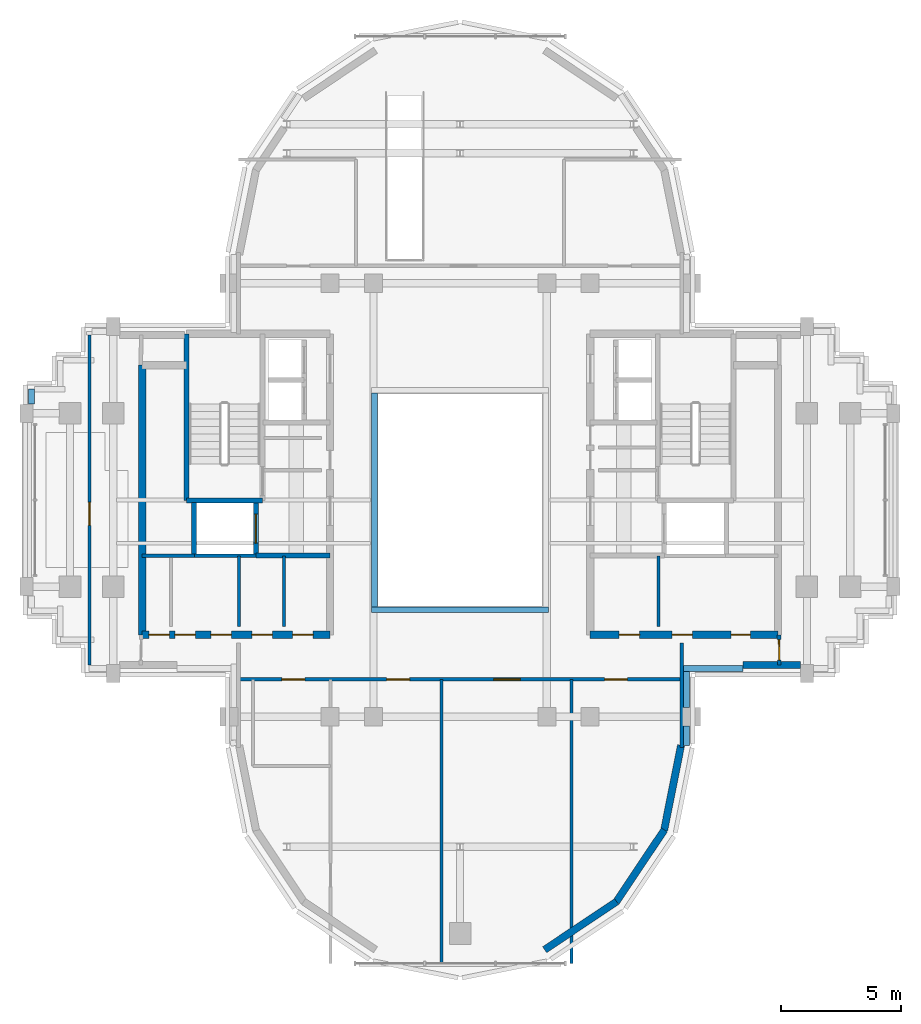
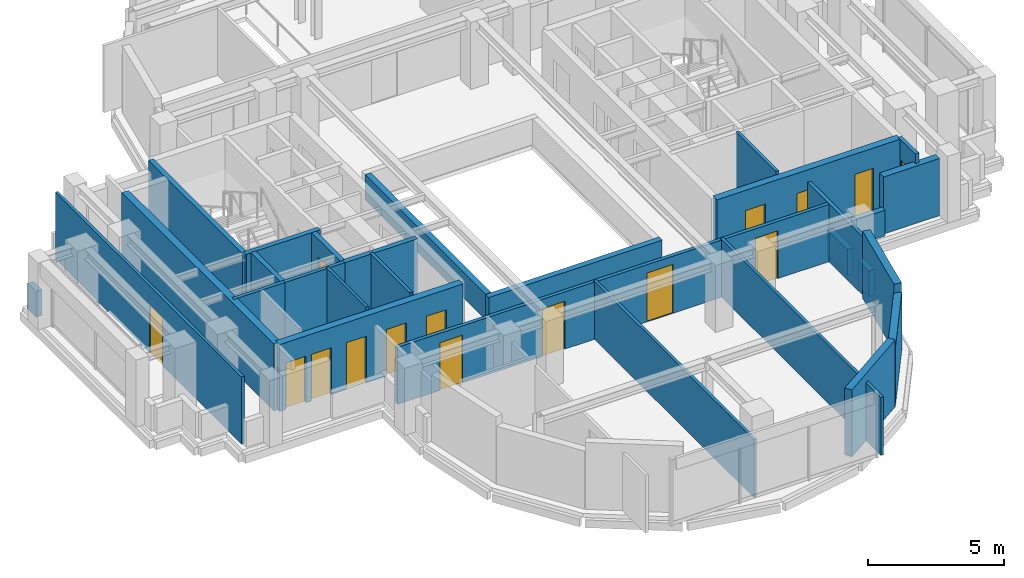
# One storey, part 8 of 12: 29 walls, 15 doors, 15 openings.
"""IFC4 building model written with IfcOpenShell, lengths in metres."""

from ifc_helpers import new_model, si_unit, direction, frame, frame_2d, origin, place, context, subcontext, project, spatial, rectangle, extrude, source, transform, mapped, material, layer, layer_set, type_object, element, fill, save


model = new_model("IFC4")

# Units and contexts
model_context = context("Model", 3, precision=1e-05, world=origin(), true_north=direction((0.0, 1.0)))
body_context = subcontext(model_context, "Body", "Model", "MODEL_VIEW")
ifc_project = project(units=[si_unit("LENGTHUNIT", "METRE"), si_unit("AREAUNIT", "SQUARE_METRE"), si_unit("VOLUMEUNIT", "CUBIC_METRE"), si_unit("PLANEANGLEUNIT", "RADIAN"), si_unit("MASSUNIT", "GRAM", prefix="KILO")], contexts=[model_context])

# Site, building, storey
site_placement = place(None, origin())
site = spatial("IfcSite", under=ifc_project, at=site_placement, CompositionType="ELEMENT")
building_placement = place(site_placement, origin())
building = spatial("IfcBuilding", under=site, at=building_placement, Name="Keilestroom Media Tower", CompositionType="ELEMENT")
storey_placement = place(building_placement, frame((0.0, 0.0, 223.60009765625)))
storey = spatial("IfcBuildingStorey", under=building, at=storey_placement, Name="L61", CompositionType="ELEMENT", Elevation=223.60009765625)

# Walls
ifc_material_1 = material(Name="Precast concrete C40/50", Category="concrete")
ifc_layer_1 = layer(ifc_material_1, 0.300048828125)
ifc_layer_set_1 = layer_set([ifc_layer_1], Name="Precast concrete C40/50")
wall_type_1 = type_object("IfcWallType", Name="Exterior-Masonry-Spandrel-Wall-300", PredefinedType="SOLIDWALL", material=ifc_layer_set_1)
wall_1_placement = place(storey_placement, frame((11.75, -6.85009765625, 0.0), z_axis=(0.0, 0.0, 1.0), x_axis=(1.0, 0.0, 0.0)))
element("IfcWall", 1, at=wall_1_placement, inside=storey, type_object=wall_type_1, Name="L61 Flank Masonry Wall EWL-L61-SE-1", PredefinedType="SOLIDWALL", context=body_context, shape_type="SweptSolid", body=[
    extrude(rectangle(XDim=2.383056640625, YDim=0.300048828125, at=frame_2d((1.19140625, 0.0))), origin(), (0.0, 0.0, 1.0), 2.56982421875),
])
wall_2_placement = place(storey_placement, frame((3.510009765625, -18.673583984375, 0.0), z_axis=(0.0, 0.0, 1.0), x_axis=(0.831443568068, 0.555609208993, 0.0)))
element("IfcWall", 2, at=wall_2_placement, inside=storey, type_object=wall_type_1, Name="L61 Lobe Facet Precast Frame Wall 10", PredefinedType="SOLIDWALL", context=body_context, shape_type="SweptSolid", body=[
    extrude(rectangle(XDim=3.593505859375, YDim=0.300048828125, at=frame_2d((1.796875, 0.0))), origin(), (0.0, 0.0, 1.0), 3.010009765625),
])
wall_3_placement = place(storey_placement, frame((6.47705078125, -16.697998046875, 0.0), z_axis=(0.0, 0.0, 1.0), x_axis=(0.555574187116, 0.831466970246, 0.0)))
element("IfcWall", 3, at=wall_3_placement, inside=storey, type_object=wall_type_1, Name="L61 Lobe Facet Precast Frame Wall 11", PredefinedType="SOLIDWALL", context=body_context, shape_type="SweptSolid", body=[
    extrude(rectangle(XDim=3.608642578125, YDim=0.300048828125, at=frame_2d((1.80419921875, 0.0))), origin(), (0.0, 0.0, 1.0), 2.60986328125),
])
wall_4_placement = place(storey_placement, frame((8.470703125, -13.724609375, 0.0), z_axis=(0.0, 0.0, 1.0), x_axis=(0.195114232679, 0.980780523974, 0.0)))
element("IfcWall", 4, at=wall_4_placement, inside=storey, type_object=wall_type_1, Name="L61 Lobe Facet Precast Frame Wall 12", PredefinedType="SOLIDWALL", context=body_context, shape_type="SweptSolid", body=[
    extrude(rectangle(XDim=3.608642578125, YDim=0.300048828125, at=frame_2d((1.80419921875, 0.0))), origin(), (0.0, 0.0, 1.0), 3.010009765625),
])
ifc_material_2 = material(Name="Gypsum Plasterboard & Steel Stud", Category="steel")
ifc_layer_2 = layer(ifc_material_2, 0.1201171875)
ifc_layer_set_2 = layer_set([ifc_layer_2], Name="Gypsum Plasterboard & Steel Stud")
wall_type_2 = type_object("IfcWallType", Name="Interior-Partition-Wall-120", PredefinedType="PARTITIONING", material=ifc_layer_set_2)
for number, where, z_axis, x_axis, name in (
    (5, (-9.179931640625, -5.260009765625, 0.0), (0.0, 0.0, 1.0), (0.0, 1.0, 0.0), "L61 Interior Wall WP-L61-RECMW-M1"),
    (6, (-7.320068359375, -5.260009765625, 0.0), (0.0, 0.0, 1.0), (0.0, 1.0, 0.0), "L61 Interior Wall WP-L61-RECMW-M2"),
    (7, (8.239990234375, -5.260009765625, 0.0), (0.0, 0.0, 1.0), (0.0, 1.0, 0.0), "L61 Interior Wall WP-L61-RECME-M"),
):
    element("IfcWall", number, at=place(storey_placement, frame(where, z_axis=z_axis, x_axis=x_axis)), inside=storey, type_object=wall_type_2, Name=name, PredefinedType="PARTITIONING", context=body_context, shape_type="SweptSolid", body=[
        extrude(rectangle(XDim=2.93994140625, YDim=0.1201171875, at=frame_2d((1.469970703125, 0.0))), origin(), (0.0, 0.0, 1.0), 3.010009765625),
    ])
for number, where, z_axis, x_axis, name in (
    (8, (-0.780029296875, -19.25, 0.0), (0.0, 0.0, 1.0), (0.0, 1.0, 0.0), "L61 Interior Wall WP-L61-SL-QV2"),
    (9, (4.6201171875, -19.25, 0.0), (0.0, 0.0, 1.0), (0.0, 1.0, 0.0), "L61 Interior Wall WP-L61-SL-QV3"),
):
    element("IfcWall", number, at=place(storey_placement, frame(where, z_axis=z_axis, x_axis=x_axis)), inside=storey, type_object=wall_type_2, Name=name, PredefinedType="PARTITIONING", context=body_context, shape_type="SweptSolid", body=[
        extrude(rectangle(XDim=11.800048828125, YDim=0.1201171875, at=frame_2d((5.89990234375, 0.0))), origin(), (0.0, 0.0, 1.0), 2.60986328125),
    ])

# Wall, opening, door
wall_5_placement = place(storey_placement, frame((-15.389892578125, -6.85009765625, 0.0), z_axis=(0.0, 0.0, 1.0), x_axis=(0.0, 1.0, 0.0)))
wall_5 = element("IfcWall", 10, at=wall_5_placement, inside=storey, type_object=wall_type_2, Name="L61 Interior Wall WP-L61-WA-V", PredefinedType="PARTITIONING", context=body_context, shape_type="SweptSolid", body=[
    extrude(rectangle(XDim=13.7001953125, YDim=0.1201171875, at=frame_2d((6.85009765625, 0.0))), origin(), (0.0, 0.0, 1.0), 3.010009765625),
])
opening_1_placement = place(wall_5_placement, frame((5.800048828125, 0.0, 0.0)))
opening_1 = element("IfcOpeningElement", 11, at=opening_1_placement, cuts=wall_5, Name="Opening DI-03", PredefinedType="OPENING", context=body_context, shape_type="SweptSolid", body=[
    extrude(rectangle(XDim=0.949951171875, YDim=2.14990234375, at=frame_2d((0.47509765625, 1.074951171875))), frame((0.0, 0.070068359375, 0.0), z_axis=(0.0, -1.0, 0.0), x_axis=(1.0, 0.0, 0.0)), (0.0, 0.0, 1.0), 0.14013671875),
])
ifc_material_3 = material(Name="Lacquered European Oak Leaf", Category="wood")
door_type_1 = type_object("IfcDoorType", Name="Interior-Room-And-Suite-Door-DI-03", OperationType="NOTDEFINED", PredefinedType="DOOR", material=ifc_material_3)
shared_shape_1 = source(origin(), body_context, "Body", "SweptSolid", [
    extrude(rectangle(XDim=0.949951171875, YDim=2.14990234375, at=frame_2d((0.47509765625, 1.074951171875))), frame((0.0, 0.02490234375, 0.0), z_axis=(0.0, -1.0, 0.0), x_axis=(1.0, 0.0, 0.0)), (0.0, 0.0, 1.0), 0.050048828125),
])
door_1_placement = place(opening_1_placement, origin())
door_1 = element("IfcDoor", 12, at=door_1_placement, inside=storey, type_object=door_type_1, Name="L61 Interior Door DI-L61-DWA-W", OperationType="SINGLE_SWING_LEFT", OverallHeight=2.14990234375, OverallWidth=0.949951171875, PredefinedType="DOOR", context=body_context, shape_type="MappedRepresentation", body=[
    mapped(shared_shape_1, transform((0.0, 0.0, 0.0), x_axis=(1.0, 0.0, 0.0), y_axis=(0.0, 1.0, 0.0), z_axis=(0.0, 0.0, 1.0), scale=1.0)),
])
fill(opening_1, door_1)

# Walls
ifc_layer_3 = layer(ifc_material_2, 0.14990234375)
ifc_layer_set_3 = layer_set([ifc_layer_3], Name="Gypsum Plasterboard & Steel Stud")
wall_type_3 = type_object("IfcWallType", Name="Interior-Partition-Wall-150", PredefinedType="PARTITIONING", material=ifc_layer_set_3)
wall_6_placement = place(storey_placement, frame((-13.199951171875, -2.320068359375, 0.0), z_axis=(0.0, 0.0, 1.0), x_axis=(1.0, 0.0, 0.0)))
element("IfcWall", 13, at=wall_6_placement, inside=storey, type_object=wall_type_3, Name="L61 Interior Wall WP-L61-RECLW-N", PredefinedType="PARTITIONING", context=body_context, shape_type="SweptSolid", body=[
    extrude(rectangle(XDim=2.179931640625, YDim=0.14990234375, at=frame_2d((1.08984375, 0.0))), origin(), (0.0, 0.0, 1.0), 3.010009765625),
])
wall_7_placement = place(storey_placement, frame((-11.0400390625, -2.320068359375, 0.0), z_axis=(0.0, 0.0, 1.0), x_axis=(1.0, 0.0, 0.0)))
element("IfcWall", 14, at=wall_7_placement, inside=storey, type_object=wall_type_3, Name="L61 Interior Wall WP-L61-RECMW-N", PredefinedType="PARTITIONING", context=body_context, shape_type="SweptSolid", body=[
    extrude(rectangle(XDim=2.56005859375, YDim=0.14990234375, at=frame_2d((1.280029296875, 0.0))), origin(), (0.0, 0.0, 1.0), 3.010009765625),
])

# Wall, openings, doors
wall_8_placement = place(storey_placement, frame((-9.199951171875, -7.449951171875, 0.0), z_axis=(0.0, 0.0, 1.0), x_axis=(1.0, 0.0, 0.0)))
wall_8 = element("IfcWall", 15, at=wall_8_placement, inside=storey, type_object=wall_type_3, Name="L61 Interior Wall WP-L61-SL-BASE", PredefinedType="PARTITIONING", context=body_context, shape_type="SweptSolid", body=[
    extrude(rectangle(XDim=18.39990234375, YDim=0.14990234375, at=frame_2d((9.199951171875, 0.0))), origin(), (0.0, 0.0, 1.0), 2.56982421875),
])
opening_2_placement = place(wall_8_placement, frame((1.800048828125, 0.0, 0.0)))
opening_2 = element("IfcOpeningElement", 16, at=opening_2_placement, cuts=wall_8, Name="Opening DI-03", PredefinedType="OPENING", context=body_context, shape_type="SweptSolid", body=[
    extrude(rectangle(XDim=0.949951171875, YDim=2.14990234375, at=frame_2d((0.47509765625, 1.074951171875))), frame((0.0, 0.0849609375, 0.0), z_axis=(0.0, -1.0, 0.0), x_axis=(1.0, 0.0, 0.0)), (0.0, 0.0, 1.0), 0.169921875),
])
opening_3_placement = place(wall_8_placement, frame((6.14990234375, 0.0, 0.0)))
opening_3 = element("IfcOpeningElement", 17, at=opening_3_placement, cuts=wall_8, Name="Opening DI-03", PredefinedType="OPENING", context=body_context, shape_type="SweptSolid", body=[
    extrude(rectangle(XDim=0.949951171875, YDim=2.14990234375, at=frame_2d((0.47509765625, 1.074951171875))), frame((0.0, 0.0849609375, 0.0), z_axis=(0.0, -1.0, 0.0), x_axis=(1.0, 0.0, 0.0)), (0.0, 0.0, 1.0), 0.169921875),
])
opening_4_placement = place(wall_8_placement, frame((10.60009765625, 0.0, 0.0)))
opening_4 = element("IfcOpeningElement", 18, at=opening_4_placement, cuts=wall_8, Name="Opening DI-04", PredefinedType="OPENING", context=body_context, shape_type="SweptSolid", body=[
    extrude(rectangle(XDim=1.10009765625, YDim=2.199951171875, at=frame_2d((0.550048828125, 1.10009765625))), frame((0.0, 0.0849609375, 0.0), z_axis=(0.0, -1.0, 0.0), x_axis=(1.0, 0.0, 0.0)), (0.0, 0.0, 1.0), 0.169921875),
])
opening_5_placement = place(wall_8_placement, frame((15.199951171875, 0.0, 0.0)))
opening_5 = element("IfcOpeningElement", 19, at=opening_5_placement, cuts=wall_8, Name="Opening DI-03", PredefinedType="OPENING", context=body_context, shape_type="SweptSolid", body=[
    extrude(rectangle(XDim=0.949951171875, YDim=2.14990234375, at=frame_2d((0.47509765625, 1.074951171875))), frame((0.0, 0.0849609375, 0.0), z_axis=(0.0, -1.0, 0.0), x_axis=(1.0, 0.0, 0.0)), (0.0, 0.0, 1.0), 0.169921875),
])
door_2_placement = place(opening_2_placement, origin())
door_2 = element("IfcDoor", 20, at=door_2_placement, inside=storey, type_object=door_type_1, Name="L61 Interior Door DI-L61-DSL-WC3", OperationType="SINGLE_SWING_LEFT", OverallHeight=2.14990234375, OverallWidth=0.949951171875, PredefinedType="DOOR", context=body_context, shape_type="MappedRepresentation", body=[
    mapped(shared_shape_1, transform((0.0, 0.0, 0.0), x_axis=(1.0, 0.0, 0.0), y_axis=(0.0, 1.0, 0.0), z_axis=(0.0, 0.0, 1.0), scale=1.0)),
])
fill(opening_2, door_2)
door_3_placement = place(opening_3_placement, origin())
door_3 = element("IfcDoor", 21, at=door_3_placement, inside=storey, type_object=door_type_1, Name="L61 Interior Door DI-L61-DSL-Q2", OperationType="SINGLE_SWING_LEFT", OverallHeight=2.14990234375, OverallWidth=0.949951171875, PredefinedType="DOOR", context=body_context, shape_type="MappedRepresentation", body=[
    mapped(shared_shape_1, transform((0.0, 0.0, 0.0), x_axis=(1.0, 0.0, 0.0), y_axis=(0.0, 1.0, 0.0), z_axis=(0.0, 0.0, 1.0), scale=1.0)),
])
fill(opening_3, door_3)
door_4_placement = place(opening_5_placement, origin())
door_4 = element("IfcDoor", 22, at=door_4_placement, inside=storey, type_object=door_type_1, Name="L61 Interior Door DI-L61-DSL-Q4", OperationType="SINGLE_SWING_LEFT", OverallHeight=2.14990234375, OverallWidth=0.949951171875, PredefinedType="DOOR", context=body_context, shape_type="MappedRepresentation", body=[
    mapped(shared_shape_1, transform((0.0, 0.0, 0.0), x_axis=(1.0, 0.0, 0.0), y_axis=(0.0, 1.0, 0.0), z_axis=(0.0, 0.0, 1.0), scale=1.0)),
])
fill(opening_5, door_4)
ifc_material_4 = material(Name="Acoustic Glazed Aluminium Leaf", Category="aluminium")
door_type_2 = type_object("IfcDoorType", Name="Interior-Room-And-Suite-Door-DI-04", OperationType="NOTDEFINED", PredefinedType="DOOR", material=ifc_material_4)
shared_shape_2 = source(origin(), body_context, "Body", "SweptSolid", [
    extrude(rectangle(XDim=1.10009765625, YDim=2.199951171875, at=frame_2d((0.550048828125, 1.10009765625))), frame((0.0, 0.02490234375, 0.0), z_axis=(0.0, -1.0, 0.0), x_axis=(1.0, 0.0, 0.0)), (0.0, 0.0, 1.0), 0.050048828125),
])
door_5_placement = place(opening_4_placement, origin())
door_5 = element("IfcDoor", 23, at=door_5_placement, inside=storey, type_object=door_type_2, Name="L61 Interior Door DI-L61-DSL-Q3", OperationType="SINGLE_SWING_RIGHT", OverallHeight=2.199951171875, OverallWidth=1.10009765625, PredefinedType="DOOR", context=body_context, shape_type="MappedRepresentation", body=[
    mapped(shared_shape_2, transform((0.0, 0.0, 0.0), x_axis=(1.0, 0.0, 0.0), y_axis=(0.0, 1.0, 0.0), z_axis=(0.0, 0.0, 1.0), scale=1.0)),
])
fill(opening_4, door_5)

# Wall
wall_9_placement = place(storey_placement, frame((9.199951171875, -10.280029296875, 0.0), z_axis=(0.0, 0.0, 1.0), x_axis=(0.0, 1.0, 0.0)))
element("IfcWall", 24, at=wall_9_placement, inside=storey, type_object=wall_type_3, Name="L61 Interior Wall WP-L61-SL-CHKE", PredefinedType="PARTITIONING", context=body_context, shape_type="SweptSolid", body=[
    extrude(rectangle(XDim=4.340087890625, YDim=0.14990234375, at=frame_2d((2.169921875, 0.0))), origin(), (0.0, 0.0, 1.0), 2.60986328125),
])

# Wall, opening, door
wall_10_placement = place(storey_placement, frame((13.260009765625, -6.85009765625, 0.0), z_axis=(0.0, 0.0, 1.0), x_axis=(-0.016013571389, 0.999871774545, 0.0)))
wall_10 = element("IfcWall", 25, at=wall_10_placement, inside=storey, type_object=wall_type_3, Name="L61 Interior Wall WP-L61-EA-ENTS", PredefinedType="PARTITIONING", context=body_context, shape_type="SweptSolid", body=[
    extrude(rectangle(XDim=1.250244140625, YDim=0.14990234375, at=frame_2d((0.625, 0.0))), origin(), (0.0, 0.0, 1.0), 3.010009765625),
])
opening_6_placement = place(wall_10_placement, frame((0.199951171875, 0.0, 0.0)))
opening_6 = element("IfcOpeningElement", 26, at=opening_6_placement, cuts=wall_10, Name="Opening DI-05", PredefinedType="OPENING", context=body_context, shape_type="SweptSolid", body=[
    extrude(rectangle(XDim=0.85009765625, YDim=2.10009765625, at=frame_2d((0.425048828125, 1.050048828125))), frame((0.0, 0.0849609375, 0.0), z_axis=(0.0, -1.0, 0.0), x_axis=(1.0, 0.0, 0.0)), (0.0, 0.0, 1.0), 0.169921875),
])
ifc_material_5 = material(Name="Moisture-Resistant Oak Leaf", Category="wood")
door_type_3 = type_object("IfcDoorType", Name="Interior-En-Suite-And-Cupboard-Door-DI-05", OperationType="NOTDEFINED", PredefinedType="DOOR", material=ifc_material_5)
shared_shape_3 = source(origin(), body_context, "Body", "SweptSolid", [
    extrude(rectangle(XDim=0.85009765625, YDim=2.10009765625, at=frame_2d((0.425048828125, 1.050048828125))), frame((0.0, 0.02490234375, 0.0), z_axis=(0.0, -1.0, 0.0), x_axis=(1.0, 0.0, 0.0)), (0.0, 0.0, 1.0), 0.050048828125),
])
door_6_placement = place(opening_6_placement, origin())
door_6 = element("IfcDoor", 27, at=door_6_placement, inside=storey, type_object=door_type_3, Name="L61 Interior Door DI-L61-DEA-S", OperationType="SINGLE_SWING_RIGHT", OverallHeight=2.10009765625, OverallWidth=0.85009765625, PredefinedType="DOOR", context=body_context, shape_type="MappedRepresentation", body=[
    mapped(shared_shape_3, transform((0.0, 0.0, 0.0), x_axis=(1.0, 0.0, 0.0), y_axis=(0.0, 1.0, 0.0), z_axis=(0.0, 0.0, 1.0), scale=1.0)),
])
fill(opening_6, door_6)

# Wall
ifc_material_6 = material(Name="Concrete C50/60", Category="concrete")
ifc_layer_4 = layer(ifc_material_6, 0.300048828125)
ifc_layer_set_4 = layer_set([ifc_layer_4], Name="Concrete C50/60")
wall_type_4 = type_object("IfcWallType", Name="Reinforced-Concrete-Core-Shear-Wall-300", PredefinedType="SHEAR", material=ifc_layer_set_4)
wall_11_placement = place(storey_placement, frame((-13.199951171875, -5.60009765625, 0.0), z_axis=(0.0, 0.0, 1.0), x_axis=(0.0, 1.0, 0.0)))
element("IfcWall", 28, at=wall_11_placement, inside=storey, type_object=wall_type_4, Name="L61 Core Shear Wall WL-L61-CORE-W-OUT", PredefinedType="SHEAR", context=body_context, shape_type="SweptSolid", body=[
    extrude(rectangle(XDim=11.2001953125, YDim=0.300048828125, at=frame_2d((5.60009765625, 0.0))), origin(), (0.0, 0.0, 1.0), 3.010009765625),
])

# Wall, openings, doors
wall_12_placement = place(storey_placement, frame((-13.199951171875, -5.60009765625, 0.0), z_axis=(0.0, 0.0, 1.0), x_axis=(1.0, 0.0, 0.0)))
wall_12 = element("IfcWall", 29, at=wall_12_placement, inside=storey, type_object=wall_type_4, Name="L61 Core Shear Wall WL-L61-CORE-W-S", PredefinedType="SHEAR", context=body_context, shape_type="SweptSolid", body=[
    extrude(rectangle(XDim=7.800048828125, YDim=0.300048828125, at=frame_2d((3.89990234375, 0.0))), origin(), (0.0, 0.0, 1.0), 3.010009765625),
])
opening_7_placement = place(wall_12_placement, frame((0.280029296875, 0.0, 0.0)))
opening_7 = element("IfcOpeningElement", 30, at=opening_7_placement, cuts=wall_12, Name="Opening DI-05", PredefinedType="OPENING", context=body_context, shape_type="SweptSolid", body=[
    extrude(rectangle(XDim=0.85009765625, YDim=2.10009765625, at=frame_2d((0.425048828125, 1.050048828125))), frame((0.0, 0.16015625, 0.0), z_axis=(0.0, -1.0, 0.0), x_axis=(1.0, 0.0, 0.0)), (0.0, 0.0, 1.0), 0.320068359375),
])
opening_8_placement = place(wall_12_placement, frame((1.360107421875, 0.0, 0.0)))
opening_8 = element("IfcOpeningElement", 31, at=opening_8_placement, cuts=wall_12, Name="Opening DI-05", PredefinedType="OPENING", context=body_context, shape_type="SweptSolid", body=[
    extrude(rectangle(XDim=0.85009765625, YDim=2.10009765625, at=frame_2d((0.425048828125, 1.050048828125))), frame((0.0, 0.16015625, 0.0), z_axis=(0.0, -1.0, 0.0), x_axis=(1.0, 0.0, 0.0)), (0.0, 0.0, 1.0), 0.320068359375),
])
opening_9_placement = place(wall_12_placement, frame((2.85009765625, 0.0, 0.0)))
opening_9 = element("IfcOpeningElement", 32, at=opening_9_placement, cuts=wall_12, Name="Opening DI-05", PredefinedType="OPENING", context=body_context, shape_type="SweptSolid", body=[
    extrude(rectangle(XDim=0.85009765625, YDim=2.10009765625, at=frame_2d((0.425048828125, 1.050048828125))), frame((0.0, 0.16015625, 0.0), z_axis=(0.0, -1.0, 0.0), x_axis=(1.0, 0.0, 0.0)), (0.0, 0.0, 1.0), 0.320068359375),
])
opening_10_placement = place(wall_12_placement, frame((4.550048828125, 0.0, 0.0)))
opening_10 = element("IfcOpeningElement", 33, at=opening_10_placement, cuts=wall_12, Name="Opening DI-05", PredefinedType="OPENING", context=body_context, shape_type="SweptSolid", body=[
    extrude(rectangle(XDim=0.85009765625, YDim=2.10009765625, at=frame_2d((0.425048828125, 1.050048828125))), frame((0.0, 0.16015625, 0.0), z_axis=(0.0, -1.0, 0.0), x_axis=(1.0, 0.0, 0.0)), (0.0, 0.0, 1.0), 0.320068359375),
])
opening_11_placement = place(wall_12_placement, frame((6.25, 0.0, 0.0)))
opening_11 = element("IfcOpeningElement", 34, at=opening_11_placement, cuts=wall_12, Name="Opening DI-05", PredefinedType="OPENING", context=body_context, shape_type="SweptSolid", body=[
    extrude(rectangle(XDim=0.85009765625, YDim=2.10009765625, at=frame_2d((0.425048828125, 1.050048828125))), frame((0.0, 0.16015625, 0.0), z_axis=(0.0, -1.0, 0.0), x_axis=(1.0, 0.0, 0.0)), (0.0, 0.0, 1.0), 0.320068359375),
])
door_7_placement = place(opening_7_placement, origin())
door_7 = element("IfcDoor", 35, at=door_7_placement, inside=storey, type_object=door_type_3, Name="L61 Reclaimed West Closet 1 Door", OperationType="SINGLE_SWING_LEFT", OverallHeight=2.10009765625, OverallWidth=0.85009765625, PredefinedType="DOOR", context=body_context, shape_type="MappedRepresentation", body=[
    mapped(shared_shape_3, transform((0.0, 0.0, 0.0), x_axis=(1.0, 0.0, 0.0), y_axis=(0.0, 1.0, 0.0), z_axis=(0.0, 0.0, 1.0), scale=1.0)),
])
fill(opening_7, door_7)
door_8_placement = place(opening_8_placement, origin())
door_8 = element("IfcDoor", 36, at=door_8_placement, inside=storey, type_object=door_type_3, Name="L61 Reclaimed West Closet 2 Door", OperationType="SINGLE_SWING_RIGHT", OverallHeight=2.10009765625, OverallWidth=0.85009765625, PredefinedType="DOOR", context=body_context, shape_type="MappedRepresentation", body=[
    mapped(shared_shape_3, transform((0.0, 0.0, 0.0), x_axis=(1.0, 0.0, 0.0), y_axis=(0.0, 1.0, 0.0), z_axis=(0.0, 0.0, 1.0), scale=1.0)),
])
fill(opening_8, door_8)
door_9_placement = place(opening_9_placement, origin())
door_9 = element("IfcDoor", 37, at=door_9_placement, inside=storey, type_object=door_type_3, Name="L61 Reclaimed Mid West Room 1 Door", OperationType="SINGLE_SWING_LEFT", OverallHeight=2.10009765625, OverallWidth=0.85009765625, PredefinedType="DOOR", context=body_context, shape_type="MappedRepresentation", body=[
    mapped(shared_shape_3, transform((0.0, 0.0, 0.0), x_axis=(1.0, 0.0, 0.0), y_axis=(0.0, 1.0, 0.0), z_axis=(0.0, 0.0, 1.0), scale=1.0)),
])
fill(opening_9, door_9)
door_10_placement = place(opening_10_placement, origin())
door_10 = element("IfcDoor", 38, at=door_10_placement, inside=storey, type_object=door_type_3, Name="L61 Reclaimed Mid West Room 2 Door", OperationType="SINGLE_SWING_LEFT", OverallHeight=2.10009765625, OverallWidth=0.85009765625, PredefinedType="DOOR", context=body_context, shape_type="MappedRepresentation", body=[
    mapped(shared_shape_3, transform((0.0, 0.0, 0.0), x_axis=(1.0, 0.0, 0.0), y_axis=(0.0, 1.0, 0.0), z_axis=(0.0, 0.0, 1.0), scale=1.0)),
])
fill(opening_10, door_10)
door_11_placement = place(opening_11_placement, origin())
door_11 = element("IfcDoor", 39, at=door_11_placement, inside=storey, type_object=door_type_3, Name="L61 Reclaimed Mid West Room 3 Door", OperationType="SINGLE_SWING_RIGHT", OverallHeight=2.10009765625, OverallWidth=0.85009765625, PredefinedType="DOOR", context=body_context, shape_type="MappedRepresentation", body=[
    mapped(shared_shape_3, transform((0.0, 0.0, 0.0), x_axis=(1.0, 0.0, 0.0), y_axis=(0.0, 1.0, 0.0), z_axis=(0.0, 0.0, 1.0), scale=1.0)),
])
fill(opening_11, door_11)

wall_13_placement = place(storey_placement, frame((5.39990234375, -5.60009765625, 0.0), z_axis=(0.0, 0.0, 1.0), x_axis=(1.0, 0.0, 0.0)))
wall_13 = element("IfcWall", 40, at=wall_13_placement, inside=storey, type_object=wall_type_4, Name="L61 Core Shear Wall WL-L61-CORE-E-S", PredefinedType="SHEAR", context=body_context, shape_type="SweptSolid", body=[
    extrude(rectangle(XDim=7.800048828125, YDim=0.300048828125, at=frame_2d((3.89990234375, 0.0))), origin(), (0.0, 0.0, 1.0), 3.010009765625),
])
opening_12_placement = place(wall_13_placement, frame((5.85009765625, 0.0, 0.0)))
opening_12 = element("IfcOpeningElement", 41, at=opening_12_placement, cuts=wall_13, Name="Opening DI-06", PredefinedType="OPENING", context=body_context, shape_type="SweptSolid", body=[
    extrude(rectangle(XDim=0.800048828125, YDim=2.10009765625, at=frame_2d((0.39990234375, 1.050048828125))), frame((0.0, 0.16015625, 0.0), z_axis=(0.0, -1.0, 0.0), x_axis=(1.0, 0.0, 0.0)), (0.0, 0.0, 1.0), 0.320068359375),
])
opening_13_placement = place(wall_13_placement, frame((1.199951171875, 0.0, 0.0)))
opening_13 = element("IfcOpeningElement", 42, at=opening_13_placement, cuts=wall_13, Name="Opening DI-05", PredefinedType="OPENING", context=body_context, shape_type="SweptSolid", body=[
    extrude(rectangle(XDim=0.85009765625, YDim=2.10009765625, at=frame_2d((0.425048828125, 1.050048828125))), frame((0.0, 0.16015625, 0.0), z_axis=(0.0, -1.0, 0.0), x_axis=(1.0, 0.0, 0.0)), (0.0, 0.0, 1.0), 0.320068359375),
])
opening_14_placement = place(wall_13_placement, frame((3.39990234375, 0.0, 0.0)))
opening_14 = element("IfcOpeningElement", 43, at=opening_14_placement, cuts=wall_13, Name="Opening DI-05", PredefinedType="OPENING", context=body_context, shape_type="SweptSolid", body=[
    extrude(rectangle(XDim=0.85009765625, YDim=2.10009765625, at=frame_2d((0.425048828125, 1.050048828125))), frame((0.0, 0.16015625, 0.0), z_axis=(0.0, -1.0, 0.0), x_axis=(1.0, 0.0, 0.0)), (0.0, 0.0, 1.0), 0.320068359375),
])
ifc_material_7 = material(Name="Powder-Coated Steel Service Leaf", Category="steel")
door_type_4 = type_object("IfcDoorType", Name="Interior-Riser-Access-Door-DI-06", OperationType="NOTDEFINED", PredefinedType="DOOR", material=ifc_material_7)
shared_shape_4 = source(origin(), body_context, "Body", "SweptSolid", [
    extrude(rectangle(XDim=0.800048828125, YDim=2.10009765625, at=frame_2d((0.39990234375, 1.050048828125))), frame((0.0, 0.02490234375, 0.0), z_axis=(0.0, -1.0, 0.0), x_axis=(1.0, 0.0, 0.0)), (0.0, 0.0, 1.0), 0.050048828125),
])
door_12_placement = place(opening_12_placement, origin())
door_12 = element("IfcDoor", 44, at=door_12_placement, inside=storey, type_object=door_type_4, Name="L61 Reclaimed East Core Room Door", OperationType="SINGLE_SWING_RIGHT", OverallHeight=2.10009765625, OverallWidth=0.800048828125, PredefinedType="DOOR", context=body_context, shape_type="MappedRepresentation", body=[
    mapped(shared_shape_4, transform((0.0, 0.0, 0.0), x_axis=(1.0, 0.0, 0.0), y_axis=(0.0, 1.0, 0.0), z_axis=(0.0, 0.0, 1.0), scale=1.0)),
])
fill(opening_12, door_12)
door_13_placement = place(opening_13_placement, origin())
door_13 = element("IfcDoor", 45, at=door_13_placement, inside=storey, type_object=door_type_3, Name="L61 Reclaimed Mid East Room 1 Door", OperationType="SINGLE_SWING_RIGHT", OverallHeight=2.10009765625, OverallWidth=0.85009765625, PredefinedType="DOOR", context=body_context, shape_type="MappedRepresentation", body=[
    mapped(shared_shape_3, transform((0.0, 0.0, 0.0), x_axis=(1.0, 0.0, 0.0), y_axis=(0.0, 1.0, 0.0), z_axis=(0.0, 0.0, 1.0), scale=1.0)),
])
fill(opening_13, door_13)
door_14_placement = place(opening_14_placement, origin())
door_14 = element("IfcDoor", 46, at=door_14_placement, inside=storey, type_object=door_type_3, Name="L61 Reclaimed Mid East Room 2 Door", OperationType="SINGLE_SWING_RIGHT", OverallHeight=2.10009765625, OverallWidth=0.85009765625, PredefinedType="DOOR", context=body_context, shape_type="MappedRepresentation", body=[
    mapped(shared_shape_3, transform((0.0, 0.0, 0.0), x_axis=(1.0, 0.0, 0.0), y_axis=(0.0, 1.0, 0.0), z_axis=(0.0, 0.0, 1.0), scale=1.0)),
])
fill(opening_14, door_14)

# Walls
ifc_layer_5 = layer(ifc_material_6, 0.199951171875)
ifc_layer_set_5 = layer_set([ifc_layer_5], Name="Concrete C50/60")
wall_type_5 = type_object("IfcWallType", Name="Reinforced-Concrete-Shaft-Wall-200", PredefinedType="SOLIDWALL", material=ifc_layer_set_5)
wall_14_placement = place(storey_placement, frame((-8.47998046875, -2.300048828125, 0.0), z_axis=(0.0, 0.0, 1.0), x_axis=(1.0, 0.0, 0.0)))
element("IfcWall", 47, at=wall_14_placement, inside=storey, type_object=wall_type_5, Name="L61 Core Shear Wall WL-L61-CORE-W-FFS", PredefinedType="SOLIDWALL", context=body_context, shape_type="SweptSolid", body=[
    extrude(rectangle(XDim=3.080078125, YDim=0.199951171875, at=frame_2d((1.5400390625, 0.0))), origin(), (0.0, 0.0, 1.0), 3.010009765625),
])
wall_15_placement = place(storey_placement, frame((-11.35595703125, -0.01611328125, 0.0), z_axis=(0.0, 0.0, 1.0), x_axis=(0.0, 1.0, 0.0)))
element("IfcWall", 48, at=wall_15_placement, inside=storey, type_object=wall_type_5, Name="L61 Core Shear Wall WL-L61-STW-W-FAR", PredefinedType="SOLIDWALL", context=body_context, shape_type="SweptSolid", body=[
    extrude(rectangle(XDim=6.916015625, YDim=0.199951171875, at=frame_2d((3.4580078125, 0.0))), origin(), (0.0, 0.0, 1.0), 3.010009765625),
])
wall_16_placement = place(storey_placement, frame((-11.35595703125, -0.01611328125, 0.0), z_axis=(0.0, 0.0, 1.0), x_axis=(1.0, 0.0, 0.0)))
element("IfcWall", 49, at=wall_16_placement, inside=storey, type_object=wall_type_5, Name="L61 Core Shear Wall WL-L61-STW-W-S", PredefinedType="SOLIDWALL", context=body_context, shape_type="SweptSolid", body=[
    extrude(rectangle(XDim=3.15185546875, YDim=0.199951171875, at=frame_2d((1.575927734375, 0.0))), origin(), (0.0, 0.0, 1.0), 3.010009765625),
])
wall_17_placement = place(storey_placement, frame((-11.050048828125, -2.280029296875, 0.0), z_axis=(0.0, 0.0, 1.0), x_axis=(0.0, 1.0, 0.0)))
element("IfcWall", 50, at=wall_17_placement, inside=storey, type_object=wall_type_5, Name="L61 Core Shear Wall WL-L61-LSH-FFL-1-W", PredefinedType="SOLIDWALL", context=body_context, shape_type="SweptSolid", body=[
    extrude(rectangle(XDim=2.179931640625, YDim=0.199951171875, at=frame_2d((1.08984375, 0.0))), origin(), (0.0, 0.0, 1.0), 3.010009765625),
])

# Wall, opening, door
wall_18_placement = place(storey_placement, frame((-8.47998046875, -2.280029296875, 0.0), z_axis=(0.0, 0.0, 1.0), x_axis=(0.0, 1.0, 0.0)))
wall_18 = element("IfcWall", 51, at=wall_18_placement, inside=storey, type_object=wall_type_5, Name="L61 Core Shear Wall WL-L61-LSH-FFL-1-E", PredefinedType="SOLIDWALL", context=body_context, shape_type="SweptSolid", body=[
    extrude(rectangle(XDim=2.179931640625, YDim=0.199951171875, at=frame_2d((1.08984375, 0.0))), origin(), (0.0, 0.0, 1.0), 3.010009765625),
])
opening_15_placement = place(wall_18_placement, frame((0.489990234375, 0.0, 0.0)))
opening_15 = element("IfcOpeningElement", 52, at=opening_15_placement, cuts=wall_18, Name="Opening LD-02", PredefinedType="OPENING", context=body_context, shape_type="SweptSolid", body=[
    extrude(rectangle(XDim=1.199951171875, YDim=2.199951171875, at=frame_2d((0.60009765625, 1.10009765625))), frame((0.0, 0.10986328125, 0.0), z_axis=(0.0, -1.0, 0.0), x_axis=(1.0, 0.0, 0.0)), (0.0, 0.0, 1.0), 0.219970703125),
])
ifc_material_8 = material(Name="Brushed Stainless Steel Sliding Leaf", Category="steel")
door_type_5 = type_object("IfcDoorType", Name="Lift-Landing-Sliding-Door-LD-02", OperationType="SLIDING_TO_RIGHT", PredefinedType="DOOR", material=ifc_material_8)
shared_shape_5 = source(origin(), body_context, "Body", "SweptSolid", [
    extrude(rectangle(XDim=1.199951171875, YDim=2.199951171875, at=frame_2d((0.60009765625, 1.10009765625))), frame((0.0, 0.02490234375, 0.0), z_axis=(0.0, -1.0, 0.0), x_axis=(1.0, 0.0, 0.0)), (0.0, 0.0, 1.0), 0.050048828125),
])
door_15_placement = place(opening_15_placement, origin())
door_15 = element("IfcDoor", 53, at=door_15_placement, inside=storey, type_object=door_type_5, Name="L61 Lift FFL-1 Landing Sliding Door", OperationType="SLIDING_TO_RIGHT", OverallHeight=2.199951171875, OverallWidth=1.199951171875, PredefinedType="DOOR", context=body_context, shape_type="MappedRepresentation", body=[
    mapped(shared_shape_5, transform((0.0, 0.0, 0.0), x_axis=(1.0, 0.0, 0.0), y_axis=(0.0, 1.0, 0.0), z_axis=(0.0, 0.0, 1.0), scale=1.0)),
])
fill(opening_15, door_15)

# Walls
ifc_layer_6 = layer(ifc_material_1, 0.239990234375)
ifc_layer_set_6 = layer_set([ifc_layer_6], Name="Precast concrete C40/50")
wall_type_6 = type_object("IfcWallType", Name="Roof-And-Terrace-Parapet-Wall-240", PredefinedType="PARAPET", material=ifc_layer_set_6)
wall_19_placement = place(storey_placement, frame((11.7470703125, -7.0, 0.0), z_axis=(0.0, 0.0, 1.0), x_axis=(-1.0, 0.0, 0.0)))
element("IfcWall", 54, at=wall_19_placement, inside=storey, type_object=wall_type_6, Name="L61 Perimeter Edge Parapet Wall 06", PredefinedType="PARAPET", context=body_context, shape_type="SweptSolid", body=[
    extrude(rectangle(XDim=2.468994140625, YDim=0.239990234375, at=frame_2d((1.234375, 0.0))), origin(), (0.0, 0.0, 1.0), 1.14990234375),
])
wall_20_placement = place(storey_placement, frame((9.39990234375, -7.123046875, 0.0), z_axis=(0.0, 0.0, 1.0), x_axis=(0.0, -1.0, 0.0)))
element("IfcWall", 55, at=wall_20_placement, inside=storey, type_object=wall_type_6, Name="L61 Perimeter Edge Parapet Wall 07", PredefinedType="PARAPET", context=body_context, shape_type="SweptSolid", body=[
    extrude(rectangle(XDim=1.4990234375, YDim=0.239990234375, at=frame_2d((0.74951171875, 0.0))), origin(), (0.0, 0.0, 1.0), 1.14990234375),
])
wall_21_placement = place(storey_placement, frame((9.39990234375, -9.3779296875, 0.0), z_axis=(0.0, 0.0, 1.0), x_axis=(0.0, -1.0, 0.0)))
element("IfcWall", 56, at=wall_21_placement, inside=storey, type_object=wall_type_6, Name="L61 Perimeter Edge Parapet Wall 08", PredefinedType="PARAPET", context=body_context, shape_type="SweptSolid", body=[
    extrude(rectangle(XDim=0.824951171875, YDim=0.239990234375, at=frame_2d((0.41259765625, 0.0))), origin(), (0.0, 0.0, 1.0), 1.14990234375),
])
wall_22_placement = place(storey_placement, frame((-17.800048828125, 3.97802734375, 0.0), z_axis=(0.0, 0.0, 1.0), x_axis=(0.0, 1.0, 0.0)))
element("IfcWall", 57, at=wall_22_placement, inside=storey, type_object=wall_type_6, Name="L61 Perimeter Edge Parapet Wall 19", PredefinedType="PARAPET", context=body_context, shape_type="SweptSolid", body=[
    extrude(rectangle(XDim=0.6220703125, YDim=0.239990234375, at=frame_2d((0.31103515625, 0.0))), origin(), (0.0, 0.0, 1.0), 1.14990234375),
])
wall_23_placement = place(storey_placement, frame((-3.679931640625, -4.56005859375, 0.0), z_axis=(0.0, 0.0, 1.0), x_axis=(1.0, 0.0, 0.0)))
element("IfcWall", 58, at=wall_23_placement, inside=storey, type_object=wall_type_6, Name="L61 Central Atrium Guard Parapet S", PredefinedType="PARAPET", context=body_context, shape_type="SweptSolid", body=[
    extrude(rectangle(XDim=7.35986328125, YDim=0.239990234375, at=frame_2d((3.679931640625, 0.0))), origin(), (0.0, 0.0, 1.0), 1.14990234375),
])
wall_24_placement = place(storey_placement, frame((-3.56005859375, -4.43505859375, 0.0), z_axis=(0.0, 0.0, 1.0), x_axis=(0.0, 1.0, 0.0)))
element("IfcWall", 59, at=wall_24_placement, inside=storey, type_object=wall_type_6, Name="L61 Central Atrium Guard Parapet W", PredefinedType="PARAPET", context=body_context, shape_type="SweptSolid", body=[
    extrude(rectangle(XDim=8.8701171875, YDim=0.239990234375, at=frame_2d((4.43505859375, 0.0))), origin(), (0.0, 0.0, 1.0), 1.14990234375),
])

save(model, "model.ifc")
